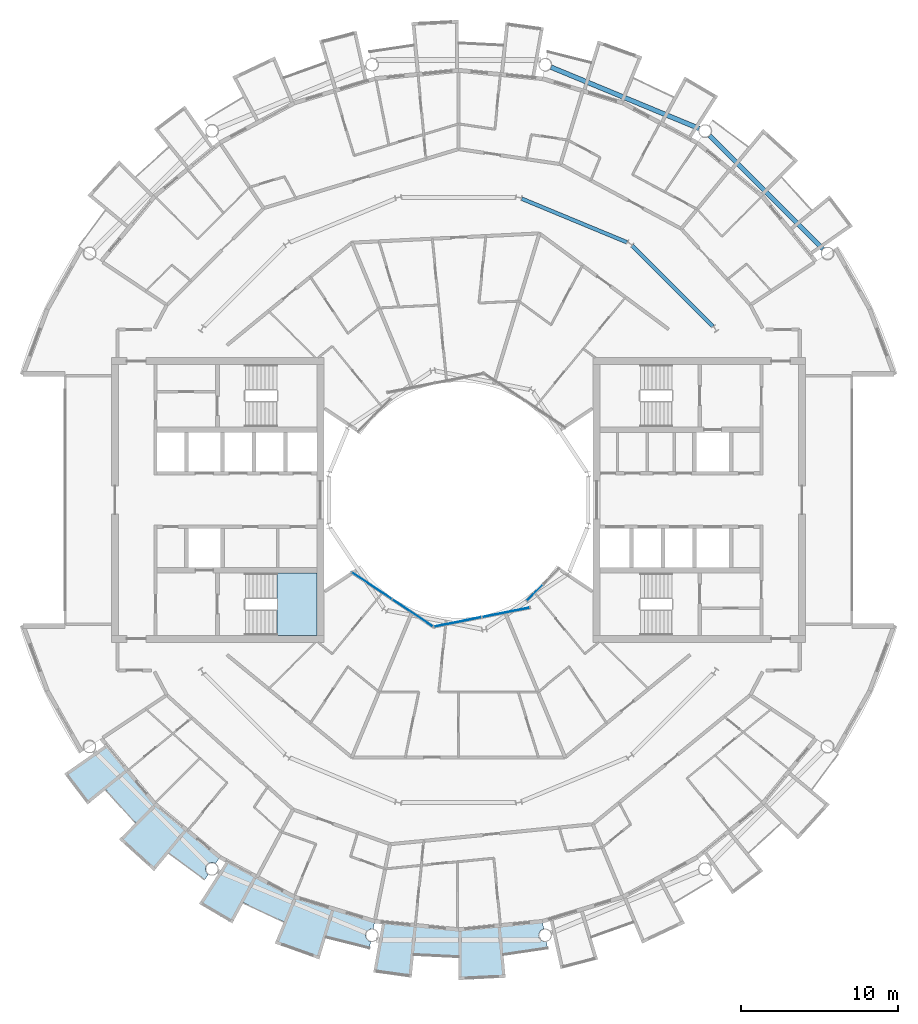
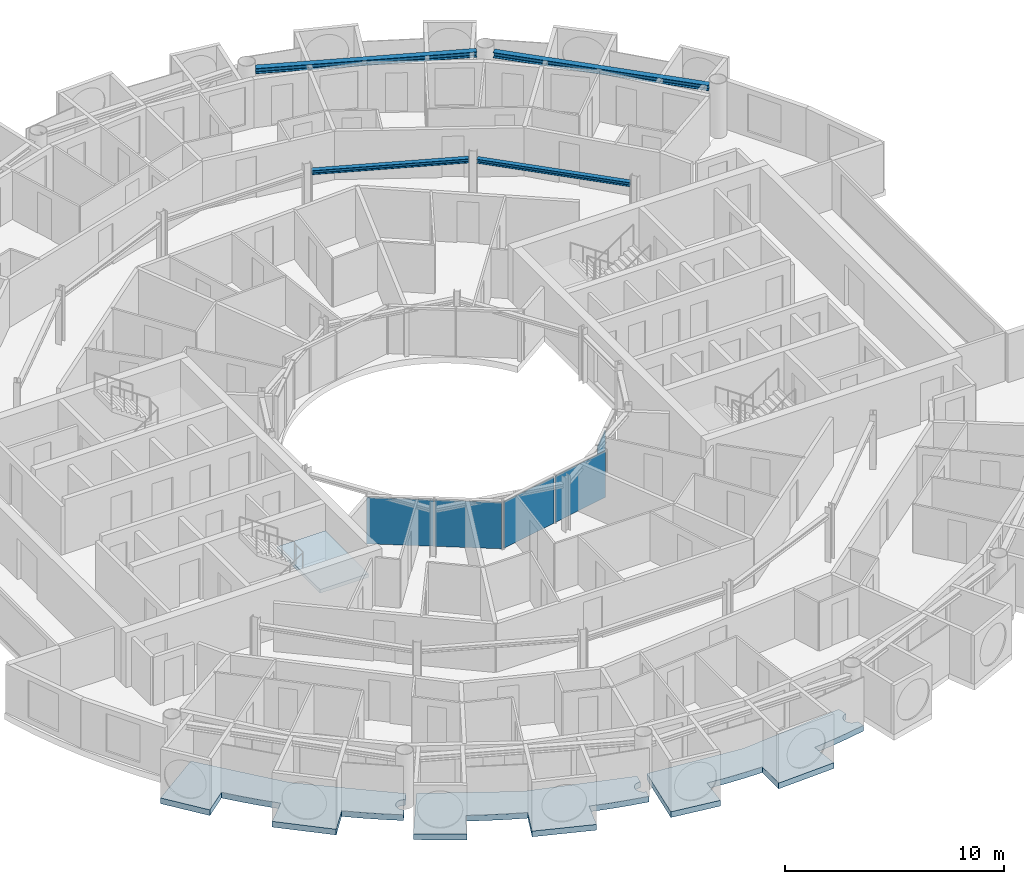
# One storey, part 11 of 29: 5 plates, 4 beams, 4 slabs, 4 elements without a shape of their own.
"""IFC4 building model written with IfcOpenShell, lengths in metres."""

from ifc_helpers import new_model, si_unit, direction, frame, origin, origin_2d, place, context, subcontext, project, spatial, polyline, rectangle, i_section, outline, extrude, material, layer, layer_set, material_profile, profile_set, type_object, element, aggregate, save


model = new_model("IFC4")

# Units and contexts
model_context = context("Model", 3, precision=1e-05, world=origin(), true_north=direction((0.0, 1.0)))
body_context = subcontext(model_context, "Body", "Model", "MODEL_VIEW")
ifc_project = project(units=[si_unit("LENGTHUNIT", "METRE"), si_unit("AREAUNIT", "SQUARE_METRE"), si_unit("VOLUMEUNIT", "CUBIC_METRE"), si_unit("PLANEANGLEUNIT", "RADIAN"), si_unit("MASSUNIT", "GRAM", prefix="KILO")], contexts=[model_context])

# Site, building, storey
site_placement = place(None, origin())
site = spatial("IfcSite", under=ifc_project, at=site_placement, CompositionType="ELEMENT")
building_placement = place(site_placement, origin())
building = spatial("IfcBuilding", under=site, at=building_placement, Name="Maasbend Ring Residences", CompositionType="ELEMENT")
storey_placement = place(building_placement, frame((0.0, 0.0, 205.449951171875)))
storey = spatial("IfcBuildingStorey", under=building, at=storey_placement, Name="L59", CompositionType="ELEMENT", Elevation=205.449951171875)

# Beams
ifc_material_1 = material(Name="Steel S355J2", Category="steel")
ifc_material_profile_1 = material_profile(ifc_material_1, i_section(OverallWidth=0.239990234375, OverallDepth=0.22998046875, WebThickness=0.007568359375, FlangeThickness=0.011962890625, FilletRadius=0.02099609375, at=origin_2d()), Name="HEA 240")
ifc_profile_set_1 = profile_set([ifc_material_profile_1], Name="Steel S355J2")
beam_type_1 = type_object("IfcBeamType", Name="Corridor ring beam HEA 240", PredefinedType="BEAM", material=ifc_profile_set_1)
beam_1_placement = place(storey_placement, frame((16.152587890625, 11.033447265625, 2.5849609375), z_axis=(-0.707106781187, 0.707106781187, 0.0), x_axis=(-0.707106781187, -0.707106781187, 0.0)))
element("IfcBeam", 1, at=beam_1_placement, inside=storey, type_object=beam_type_1, Name="Corridor ring beam", PredefinedType="BEAM", context=body_context, shape_type="SweptSolid", body=[
    extrude(i_section(OverallWidth=0.239990234375, OverallDepth=0.22998046875, WebThickness=0.007568359375, FlangeThickness=0.011962890625, FilletRadius=0.02099609375, at=origin_2d()), origin(), (0.0, 0.0, 1.0), 7.239501953125),
])
beam_2_placement = place(storey_placement, frame((10.70068359375, 16.374755859375, 2.5849609375), z_axis=(-0.923865162022, 0.382718123952, 0.0), x_axis=(-0.382718123952, -0.923865162022, 0.0)))
element("IfcBeam", 2, at=beam_2_placement, inside=storey, type_object=beam_type_1, Name="Corridor ring beam", PredefinedType="BEAM", context=body_context, shape_type="SweptSolid", body=[
    extrude(i_section(OverallWidth=0.239990234375, OverallDepth=0.22998046875, WebThickness=0.007568359375, FlangeThickness=0.011962890625, FilletRadius=0.02099609375, at=origin_2d()), origin(), (0.0, 0.0, 1.0), 7.23974609375),
])
ifc_material_2 = material(Name="Steel S355J2", Category="steel")
ifc_material_profile_2 = material_profile(ifc_material_2, i_section(OverallWidth=0.300048828125, OverallDepth=0.300048828125, WebThickness=0.010986328125, FlangeThickness=0.01904296875, FilletRadius=0.027099609375, at=origin_2d()), Name="HEB 300")
ifc_profile_set_2 = profile_set([ifc_material_profile_2], Name="Steel S355J2")
beam_type_2 = type_object("IfcBeamType", Name="Spandrel ring beam HEB 300", PredefinedType="SPANDREL", material=ifc_profile_set_2)
for number, where, z_axis, x_axis, name in (
    (3, (23.159912109375, 15.95458984375, 2.550048828125), (-0.707106781187, 0.707106781187, 0.0), (-0.707106781187, -0.707106781187, 0.0), "Spandrel ring beam"),
    (4, (15.29150390625, 23.60302734375, 2.550048828125), (-0.923883676188, 0.382673428492, 0.0), (-0.382673428492, -0.923883676188, 0.0), "Spandrel ring beam"),
):
    element("IfcBeam", number, at=place(storey_placement, frame(where, z_axis=z_axis, x_axis=x_axis)), inside=storey, type_object=beam_type_2, Name=name, PredefinedType="SPANDREL", context=body_context, shape_type="SweptSolid", body=[
        extrude(i_section(OverallWidth=0.300048828125, OverallDepth=0.300048828125, WebThickness=0.010986328125, FlangeThickness=0.01904296875, FilletRadius=0.027099609375, at=origin_2d()), origin(), (0.0, 0.0, 1.0), 10.18994140625),
    ])

# Stair, slab
ifc_material_3 = material(Name="Concrete C40/50", Category="concrete")
stair_type = type_object("IfcStairType", Name="CORE STAIR 18 RISERS", PredefinedType="HALF_TURN_STAIR", material=ifc_material_3)
stair_placement = place(storey_placement, origin())
stair = element("IfcStair", 5, at=stair_placement, inside=storey, type_object=stair_type, Name="L59 Exit stair ST-W1", PredefinedType="HALF_TURN_STAIR")
ifc_material_4 = material(Name="Concrete C40/50", Category="concrete")
ifc_layer_1 = layer(ifc_material_4, 0.199951171875)
ifc_layer_set_1 = layer_set([ifc_layer_1], Name="Concrete C40/50")
slab_type_1 = type_object("IfcSlabType", Name="CORE STAIR LANDING 200", PredefinedType="LANDING", material=ifc_layer_set_1)
slab_1_placement = place(storey_placement, frame((0.0, 0.0, 1.324951171875)))
slab_1 = element("IfcSlab", 6, at=slab_1_placement, type_object=slab_type_1, Name="ST-W1 landing 1", PredefinedType="LANDING", context=body_context, shape_type="SweptSolid", body=[
    extrude(outline(polyline([(-11.550048828125, -8.60009765625), (-9.0, -8.60009765625), (-9.0, -4.64990234375), (-11.550048828125, -4.64990234375), (-11.550048828125, -8.60009765625)])), origin(), (0.0, 0.0, 1.0), 0.2001953125),
])
aggregate(stair, [slab_1])

# Curtain wall, plates
ifc_material_5 = material(Name="Aluminium and clear glass", Category="aluminium")
ifc_layer_2 = layer(ifc_material_5, 0.179931640625)
ifc_layer_set_2 = layer_set([ifc_layer_2], Name="CW-W")
curtain_wall_type = type_object("IfcCurtainWallType", Name="CW-W", PredefinedType="NOTDEFINED", material=ifc_layer_set_2)
curtain_wall_1_placement = place(storey_placement, origin())
curtain_wall_1 = element("IfcCurtainWall", 7, at=curtain_wall_1_placement, inside=storey, type_object=curtain_wall_type, Name="Well curtain wall S1", PredefinedType="NOTDEFINED")
ifc_material_6 = material(Name="Glass clear laminated", Category="glass")
ifc_layer_3 = layer(ifc_material_6, 0.031982421875)
ifc_layer_set_3 = layer_set([ifc_layer_3], Name="CWP-W")
plate_type = type_object("IfcPlateType", Name="CWP-W", PredefinedType="CURTAIN_PANEL", material=ifc_layer_set_3)
plate_1_placement = place(storey_placement, frame((-5.51123046875, -5.44580078125, 0.0), z_axis=(0.0, 0.0, 1.0), x_axis=(0.831469612303, -0.55557023302, 0.0)))
plate_1 = element("IfcPlate", 8, at=plate_1_placement, type_object=plate_type, Name="Glass panel well face", PredefinedType="CURTAIN_PANEL", context=body_context, shape_type="SweptSolid", body=[
    extrude(rectangle(XDim=3.053955078125, YDim=0.031982421875, at=origin_2d()), origin(), (0.0, 0.0, 1.0), 2.580078125),
])
plate_2_placement = place(storey_placement, frame((-2.922119140625, -7.17578125, 0.0), z_axis=(0.0, 0.0, 1.0), x_axis=(0.831469612303, -0.55557023302, 0.0)))
plate_2 = element("IfcPlate", 9, at=plate_2_placement, type_object=plate_type, Name="Glass panel well face", PredefinedType="CURTAIN_PANEL", context=body_context, shape_type="SweptSolid", body=[
    extrude(rectangle(XDim=3.053955078125, YDim=0.031982421875, at=origin_2d()), origin(), (0.0, 0.0, 1.0), 2.580078125),
])
aggregate(curtain_wall_1, [plate_1, plate_2])

curtain_wall_2_placement = place(storey_placement, origin())
curtain_wall_2 = element("IfcCurtainWall", 10, at=curtain_wall_2_placement, inside=storey, type_object=curtain_wall_type, Name="Well curtain wall S2", PredefinedType="NOTDEFINED")
plate_3_placement = place(storey_placement, frame((-0.04638671875, -7.747802734375, 0.0), z_axis=(0.0, 0.0, 1.0), x_axis=(0.980785280403, 0.195090322016, 0.0)))
plate_3 = element("IfcPlate", 11, at=plate_3_placement, type_object=plate_type, Name="Glass panel well face", PredefinedType="CURTAIN_PANEL", context=body_context, shape_type="SweptSolid", body=[
    extrude(rectangle(XDim=3.053955078125, YDim=0.031982421875, at=origin_2d()), origin(), (0.0, 0.0, 1.0), 2.580078125),
])
plate_4_placement = place(storey_placement, frame((3.0078125, -7.140380859375, 0.0), z_axis=(0.0, 0.0, 1.0), x_axis=(0.980785280403, 0.195090322016, 0.0)))
plate_4 = element("IfcPlate", 12, at=plate_4_placement, type_object=plate_type, Name="Glass panel well face", PredefinedType="CURTAIN_PANEL", context=body_context, shape_type="SweptSolid", body=[
    extrude(rectangle(XDim=3.053955078125, YDim=0.031982421875, at=origin_2d()), origin(), (0.0, 0.0, 1.0), 2.580078125),
])
aggregate(curtain_wall_2, [plate_3, plate_4])

# Curtain wall, plate
curtain_wall_3_placement = place(storey_placement, origin())
curtain_wall_3 = element("IfcCurtainWall", 13, at=curtain_wall_3_placement, inside=storey, type_object=curtain_wall_type, Name="Well curtain wall S3", PredefinedType="NOTDEFINED")
plate_5_placement = place(storey_placement, frame((4.84375, -5.89013671875, 0.0), z_axis=(0.0, 0.0, 1.0), x_axis=(0.707106781187, 0.707106781187, 0.0)))
plate_5 = element("IfcPlate", 14, at=plate_5_placement, type_object=plate_type, Name="Glass panel well face", PredefinedType="CURTAIN_PANEL", context=body_context, shape_type="SweptSolid", body=[
    extrude(rectangle(XDim=1.419677734375, YDim=0.031982421875, at=origin_2d()), origin(), (0.0, 0.0, 1.0), 2.580078125),
])
aggregate(curtain_wall_3, [plate_5])

# Slabs
ifc_material_7 = material(Name="Concrete C40/50", Category="concrete")
ifc_layer_4 = layer(ifc_material_7, 0.199951171875)
ifc_layer_set_4 = layer_set([ifc_layer_4], Name="Concrete C40/50")
slab_type_2 = type_object("IfcSlabType", Name="SL-LOGGIA", PredefinedType="FLOOR", material=ifc_layer_set_4)
slab_2_placement = place(storey_placement, frame((0.0, 0.0, -0.349853515625)))
element("IfcSlab", 15, at=slab_2_placement, inside=storey, type_object=slab_type_2, Name="Loggia floor 2", PredefinedType="FLOOR", context=body_context, shape_type="SweptSolid", body=[
    extrude(outline(polyline([(-12.806884765625, -23.9609375), (-10.447021484375, -25.221923828125), (-10.447021484375, -25.221923828125), (-10.447021484375, -25.221923828125), (-7.886962890625, -25.9990234375), (-5.325927734375, -26.77490234375), (-5.325927734375, -26.77490234375), (-5.325927734375, -26.77490234375), (-5.422119140625, -27.259033203125), (-5.431884765625, -27.258056640625), (-5.44189453125, -27.256103515625), (-5.451904296875, -27.2548828125), (-5.4619140625, -27.25390625), (-5.471923828125, -27.2529296875), (-5.48193359375, -27.251953125), (-5.491943359375, -27.251953125), (-5.501953125, -27.251953125), (-5.510986328125, -27.251953125), (-5.52099609375, -27.251953125), (-5.531005859375, -27.2529296875), (-5.541015625, -27.25390625), (-5.551025390625, -27.2548828125), (-5.56103515625, -27.256103515625), (-5.571044921875, -27.258056640625), (-5.5810546875, -27.259033203125), (-5.591064453125, -27.260986328125), (-5.60009765625, -27.263916015625), (-5.610107421875, -27.26611328125), (-5.6201171875, -27.26904296875), (-5.62890625, -27.27197265625), (-5.637939453125, -27.27490234375), (-5.64794921875, -27.279052734375), (-5.656982421875, -27.282958984375), (-5.666015625, -27.285888671875), (-5.675048828125, -27.291015625), (-5.68408203125, -27.294921875), (-5.693115234375, -27.300048828125), (-5.701904296875, -27.303955078125), (-5.7099609375, -27.30908203125), (-5.718994140625, -27.31494140625), (-5.72705078125, -27.320068359375), (-5.736083984375, -27.325927734375), (-5.743896484375, -27.33203125), (-5.751953125, -27.337890625), (-5.759033203125, -27.343994140625), (-5.76708984375, -27.35009765625), (-5.77392578125, -27.35693359375), (-5.781982421875, -27.364013671875), (-5.7890625, -27.37109375), (-5.7958984375, -27.3779296875), (-5.802978515625, -27.385009765625), (-5.80908203125, -27.39306640625), (-5.81591796875, -27.39990234375), (-5.822021484375, -27.407958984375), (-5.827880859375, -27.416015625), (-5.833984375, -27.424072265625), (-5.839111328125, -27.431884765625), (-5.844970703125, -27.44091796875), (-5.85009765625, -27.448974609375), (-5.85498046875, -27.4580078125), (-5.860107421875, -27.466064453125), (-5.864990234375, -27.47509765625), (-5.868896484375, -27.48388671875), (-5.873046875, -27.492919921875), (-5.876953125, -27.5029296875), (-5.881103515625, -27.511962890625), (-5.884033203125, -27.52099609375), (-5.886962890625, -27.531005859375), (-5.889892578125, -27.5400390625), (-5.89306640625, -27.550048828125), (-5.89599609375, -27.55908203125), (-5.89794921875, -27.569091796875), (-5.89990234375, -27.5791015625), (-5.902099609375, -27.589111328125), (-5.904052734375, -27.597900390625), (-5.905029296875, -27.60791015625), (-5.906005859375, -27.617919921875), (-5.906982421875, -27.6279296875), (-5.907958984375, -27.637939453125), (-5.907958984375, -27.64794921875), (-5.907958984375, -27.657958984375), (-5.907958984375, -27.66796875), (-5.907958984375, -27.677978515625), (-5.906982421875, -27.68798828125), (-5.906005859375, -27.697998046875), (-5.905029296875, -27.7080078125), (-5.904052734375, -27.718017578125), (-5.902099609375, -27.72802734375), (-5.89990234375, -27.737060546875), (-5.89794921875, -27.7470703125), (-5.89599609375, -27.757080078125), (-5.89306640625, -27.76708984375), (-5.889892578125, -27.77587890625), (-5.886962890625, -27.785888671875), (-5.884033203125, -27.794921875), (-5.881103515625, -27.803955078125), (-5.876953125, -27.81396484375), (-5.873046875, -27.822998046875), (-5.868896484375, -27.83203125), (-5.864990234375, -27.841064453125), (-5.860107421875, -27.85009765625), (-5.85498046875, -27.85791015625), (-5.85009765625, -27.866943359375), (-5.844970703125, -27.8759765625), (-5.839111328125, -27.884033203125), (-5.833984375, -27.89208984375), (-5.827880859375, -27.89990234375), (-5.822021484375, -27.907958984375), (-5.81591796875, -27.916015625), (-5.80908203125, -27.924072265625), (-5.802978515625, -27.930908203125), (-5.7958984375, -27.93798828125), (-5.7890625, -27.946044921875), (-5.781982421875, -27.952880859375), (-5.77392578125, -27.958984375), (-5.76708984375, -27.966064453125), (-5.759033203125, -27.971923828125), (-5.751953125, -27.97900390625), (-5.743896484375, -27.985107421875), (-5.736083984375, -27.989990234375), (-5.72705078125, -27.99609375), (-5.718994140625, -28.001953125), (-5.7099609375, -28.007080078125), (-5.701904296875, -28.011962890625), (-5.693115234375, -28.01708984375), (-5.68408203125, -28.02099609375), (-5.675048828125, -28.02587890625), (-5.666015625, -28.030029296875), (-5.656982421875, -28.033935546875), (-5.64794921875, -28.037109375), (-5.637939453125, -28.041015625), (-5.62890625, -28.0439453125), (-5.6201171875, -28.047119140625), (-5.610107421875, -28.050048828125), (-5.60009765625, -28.052001953125), (-5.591064453125, -28.054931640625), (-5.5810546875, -28.056884765625), (-5.657958984375, -28.443115234375), (-5.657958984375, -28.443115234375), (-5.657958984375, -28.443115234375), (-6.5849609375, -28.241943359375), (-6.5849609375, -28.241943359375), (-7.506103515625, -28.011962890625), (-7.506103515625, -28.011962890625), (-8.41796875, -27.7509765625), (-8.41796875, -27.7509765625), (-8.41796875, -27.7509765625), (-8.41796875, -27.7509765625), (-8.41796875, -27.7509765625), (-8.41796875, -27.7509765625), (-8.41796875, -27.7509765625), (-8.41796875, -27.7509765625), (-8.41796875, -27.7509765625), (-8.41796875, -27.7509765625), (-8.41796875, -27.751953125), (-8.41796875, -27.751953125), (-8.41796875, -27.751953125), (-8.41796875, -27.751953125), (-8.41796875, -27.751953125), (-8.41796875, -27.751953125), (-8.41796875, -27.751953125), (-8.85400390625, -29.18701171875), (-8.85400390625, -29.18701171875), (-8.85400390625, -29.18701171875), (-11.672119140625, -28.177978515625), (-11.672119140625, -28.177978515625), (-11.672119140625, -28.177978515625), (-11.097900390625, -26.79296875), (-11.097900390625, -26.79296875), (-11.097900390625, -26.79296875), (-11.097900390625, -26.79296875), (-11.097900390625, -26.79296875), (-11.097900390625, -26.79296875), (-11.097900390625, -26.79296875), (-11.097900390625, -26.79296875), (-11.097900390625, -26.79296875), (-11.097900390625, -26.79296875), (-11.097900390625, -26.7919921875), (-11.097900390625, -26.7919921875), (-11.097900390625, -26.7919921875), (-11.097900390625, -26.7919921875), (-11.097900390625, -26.7919921875), (-11.097900390625, -26.7919921875), (-11.097900390625, -26.7919921875), (-11.968994140625, -26.4150390625), (-11.968994140625, -26.4150390625), (-12.825927734375, -26.009033203125), (-12.825927734375, -26.009033203125), (-13.669921875, -25.575927734375), (-13.669921875, -25.575927734375), (-13.669921875, -25.575927734375), (-13.669921875, -25.575927734375), (-13.669921875, -25.575927734375), (-13.669921875, -25.575927734375), (-13.669921875, -25.575927734375), (-13.669921875, -25.575927734375), (-13.669921875, -25.575927734375), (-13.669921875, -25.575927734375), (-13.6708984375, -25.575927734375), (-13.6708984375, -25.575927734375), (-13.6708984375, -25.575927734375), (-13.6708984375, -25.575927734375), (-13.6708984375, -25.575927734375), (-13.6708984375, -25.575927734375), (-13.6708984375, -25.575927734375), (-14.3779296875, -26.89892578125), (-14.3779296875, -26.89892578125), (-14.3779296875, -26.89892578125), (-16.487060546875, -25.659912109375), (-16.487060546875, -25.659912109375), (-16.487060546875, -25.659912109375), (-14.73291015625, -22.930908203125), (-14.73291015625, -22.930908203125), (-14.73291015625, -22.930908203125), (-12.806884765625, -23.9609375)])), origin(), (0.0, 0.0, 1.0), 0.31982421875),
])
slab_3_placement = place(storey_placement, frame((0.0, 0.0, -0.349853515625)))
element("IfcSlab", 16, at=slab_3_placement, inside=storey, type_object=slab_type_2, Name="Loggia floor 3", PredefinedType="FLOOR", context=body_context, shape_type="SweptSolid", body=[
    extrude(outline(polyline([(-2.6630859375, -27.0380859375), (0.0, -27.300048828125), (0.0, -27.300048828125), (0.0, -27.300048828125), (2.6630859375, -27.0380859375), (5.325927734375, -26.77490234375), (5.325927734375, -26.77490234375), (5.325927734375, -26.77490234375), (5.422119140625, -27.259033203125), (5.422119140625, -27.259033203125), (5.412109375, -27.260986328125), (5.403076171875, -27.263916015625), (5.39306640625, -27.26611328125), (5.383056640625, -27.26904296875), (5.3740234375, -27.27197265625), (5.364990234375, -27.27490234375), (5.35498046875, -27.279052734375), (5.345947265625, -27.282958984375), (5.3369140625, -27.285888671875), (5.327880859375, -27.291015625), (5.319091796875, -27.294921875), (5.31005859375, -27.300048828125), (5.301025390625, -27.303955078125), (5.29296875, -27.30908203125), (5.283935546875, -27.31494140625), (5.27587890625, -27.320068359375), (5.26708984375, -27.325927734375), (5.259033203125, -27.33203125), (5.2509765625, -27.337890625), (5.243896484375, -27.343994140625), (5.236083984375, -27.35009765625), (5.22900390625, -27.35693359375), (5.220947265625, -27.364013671875), (5.214111328125, -27.37109375), (5.20703125, -27.3779296875), (5.199951171875, -27.385009765625), (5.194091796875, -27.39306640625), (5.18701171875, -27.39990234375), (5.180908203125, -27.407958984375), (5.175048828125, -27.416015625), (5.1689453125, -27.424072265625), (5.1640625, -27.431884765625), (5.157958984375, -27.44091796875), (5.153076171875, -27.448974609375), (5.14794921875, -27.4580078125), (5.14306640625, -27.466064453125), (5.137939453125, -27.47509765625), (5.134033203125, -27.48388671875), (5.1298828125, -27.492919921875), (5.1259765625, -27.5029296875), (5.1220703125, -27.511962890625), (5.118896484375, -27.52099609375), (5.115966796875, -27.531005859375), (5.113037109375, -27.5400390625), (5.110107421875, -27.550048828125), (5.10693359375, -27.55908203125), (5.10498046875, -27.569091796875), (5.10302734375, -27.5791015625), (5.10107421875, -27.589111328125), (5.09912109375, -27.597900390625), (5.097900390625, -27.60791015625), (5.096923828125, -27.617919921875), (5.095947265625, -27.6279296875), (5.094970703125, -27.637939453125), (5.094970703125, -27.64794921875), (5.094970703125, -27.657958984375), (5.094970703125, -27.66796875), (5.094970703125, -27.677978515625), (5.095947265625, -27.68798828125), (5.096923828125, -27.697998046875), (5.097900390625, -27.7080078125), (5.09912109375, -27.718017578125), (5.10107421875, -27.72802734375), (5.10302734375, -27.737060546875), (5.10498046875, -27.7470703125), (5.10693359375, -27.757080078125), (5.110107421875, -27.76708984375), (5.113037109375, -27.77587890625), (5.115966796875, -27.785888671875), (5.118896484375, -27.794921875), (5.1220703125, -27.803955078125), (5.1259765625, -27.81396484375), (5.1298828125, -27.822998046875), (5.134033203125, -27.83203125), (5.137939453125, -27.841064453125), (5.14306640625, -27.85009765625), (5.14794921875, -27.85791015625), (5.153076171875, -27.866943359375), (5.157958984375, -27.8759765625), (5.1640625, -27.884033203125), (5.1689453125, -27.89208984375), (5.175048828125, -27.89990234375), (5.180908203125, -27.907958984375), (5.18701171875, -27.916015625), (5.194091796875, -27.924072265625), (5.199951171875, -27.930908203125), (5.20703125, -27.93798828125), (5.214111328125, -27.946044921875), (5.220947265625, -27.952880859375), (5.22900390625, -27.958984375), (5.236083984375, -27.966064453125), (5.243896484375, -27.971923828125), (5.2509765625, -27.97900390625), (5.259033203125, -27.985107421875), (5.26708984375, -27.989990234375), (5.27587890625, -27.99609375), (5.283935546875, -28.001953125), (5.29296875, -28.007080078125), (5.301025390625, -28.011962890625), (5.31005859375, -28.01708984375), (5.319091796875, -28.02099609375), (5.327880859375, -28.02587890625), (5.3369140625, -28.030029296875), (5.345947265625, -28.033935546875), (5.35498046875, -28.037109375), (5.364990234375, -28.041015625), (5.3740234375, -28.0439453125), (5.383056640625, -28.047119140625), (5.39306640625, -28.050048828125), (5.403076171875, -28.052001953125), (5.412109375, -28.054931640625), (5.422119140625, -28.056884765625), (5.431884765625, -28.05908203125), (5.44189453125, -28.06005859375), (5.451904296875, -28.06201171875), (5.4619140625, -28.06298828125), (5.471923828125, -28.06298828125), (5.48193359375, -28.06396484375), (5.491943359375, -28.06396484375), (5.501953125, -28.06494140625), (5.510986328125, -28.06396484375), (5.52099609375, -28.06396484375), (5.531005859375, -28.06298828125), (5.541015625, -28.06298828125), (5.551025390625, -28.06201171875), (5.56103515625, -28.06005859375), (5.571044921875, -28.05908203125), (5.5810546875, -28.056884765625), (5.5810546875, -28.056884765625), (5.657958984375, -28.443115234375), (5.657958984375, -28.443115234375), (5.657958984375, -28.443115234375), (4.72412109375, -28.613037109375), (4.72412109375, -28.613037109375), (3.784912109375, -28.751953125), (3.784912109375, -28.751953125), (2.843017578125, -28.860107421875), (2.843017578125, -28.860107421875), (2.843017578125, -28.860107421875), (2.843017578125, -28.860107421875), (2.843017578125, -28.860107421875), (2.843017578125, -28.860107421875), (2.843017578125, -28.860107421875), (2.843017578125, -28.860107421875), (2.843017578125, -28.860107421875), (2.843017578125, -28.861083984375), (2.843017578125, -28.861083984375), (2.843017578125, -28.861083984375), (2.843017578125, -28.861083984375), (2.843017578125, -28.861083984375), (2.843017578125, -28.861083984375), (2.843017578125, -28.861083984375), (2.843017578125, -28.861083984375), (2.989990234375, -30.35302734375), (2.989990234375, -30.35302734375), (2.989990234375, -30.35302734375), (0.0, -30.5), (0.0, -30.5), (0.0, -30.5), (0.0, -29.0), (0.0, -29.0), (0.0, -29.0), (0.0, -29.0), (0.0, -29.0), (0.0, -29.0), (0.0, -29.0), (0.0, -29.0), (0.0, -29.0), (0.0, -29.0), (0.0, -29.0), (0.0, -29.0), (0.0, -29.0), (0.0, -29.0), (0.0, -29.0), (0.0, -29.0), (0.0, -29.0), (-0.948974609375, -28.98388671875), (-0.948974609375, -28.98388671875), (-1.89697265625, -28.93798828125), (-1.89697265625, -28.93798828125), (-2.842041015625, -28.860107421875), (-2.842041015625, -28.860107421875), (-2.842041015625, -28.860107421875), (-2.842041015625, -28.860107421875), (-2.842041015625, -28.860107421875), (-2.842041015625, -28.860107421875), (-2.842041015625, -28.860107421875), (-2.842041015625, -28.860107421875), (-2.842041015625, -28.861083984375), (-2.842041015625, -28.861083984375), (-2.842041015625, -28.861083984375), (-2.842041015625, -28.861083984375), (-2.842041015625, -28.861083984375), (-2.843017578125, -28.861083984375), (-2.843017578125, -28.861083984375), (-2.843017578125, -28.861083984375), (-2.843017578125, -28.861083984375), (-2.989990234375, -30.35302734375), (-2.989990234375, -30.35302734375), (-2.989990234375, -30.35302734375), (-5.412109375, -30.01611328125), (-5.412109375, -30.01611328125), (-5.412109375, -30.01611328125), (-4.8359375, -26.823974609375), (-4.8359375, -26.823974609375), (-4.8359375, -26.823974609375), (-2.6630859375, -27.0380859375)])), origin(), (0.0, 0.0, 1.0), 0.31982421875),
])
slab_4_placement = place(storey_placement, frame((0.0, 0.0, -0.349853515625)))
element("IfcSlab", 17, at=slab_4_placement, inside=storey, type_object=slab_type_2, Name="Loggia floor 5", PredefinedType="FLOOR", context=body_context, shape_type="SweptSolid", body=[
    extrude(outline(polyline([(-21.001953125, -17.236083984375), (-19.303955078125, -19.303955078125), (-19.303955078125, -19.303955078125), (-19.303955078125, -19.303955078125), (-17.236083984375, -21.001953125), (-15.1669921875, -22.698974609375), (-15.1669921875, -22.698974609375), (-15.1669921875, -22.698974609375), (-15.44091796875, -23.10888671875), (-15.44091796875, -23.10888671875), (-15.449951171875, -23.10400390625), (-15.4580078125, -23.09912109375), (-15.467041015625, -23.093994140625), (-15.47509765625, -23.089111328125), (-15.48388671875, -23.083984375), (-15.492919921875, -23.080078125), (-15.501953125, -23.075927734375), (-15.511962890625, -23.072021484375), (-15.52099609375, -23.068115234375), (-15.530029296875, -23.06494140625), (-15.5400390625, -23.06103515625), (-15.549072265625, -23.05810546875), (-15.55908203125, -23.055908203125), (-15.568115234375, -23.052978515625), (-15.577880859375, -23.051025390625), (-15.587890625, -23.049072265625), (-15.597900390625, -23.047119140625), (-15.60693359375, -23.044921875), (-15.616943359375, -23.0439453125), (-15.626953125, -23.04296875), (-15.636962890625, -23.0419921875), (-15.64697265625, -23.041015625), (-15.656982421875, -23.041015625), (-15.6669921875, -23.041015625), (-15.677001953125, -23.041015625), (-15.68701171875, -23.041015625), (-15.697021484375, -23.0419921875), (-15.70703125, -23.04296875), (-15.717041015625, -23.0439453125), (-15.72705078125, -23.044921875), (-15.737060546875, -23.047119140625), (-15.74609375, -23.049072265625), (-15.756103515625, -23.051025390625), (-15.76611328125, -23.052978515625), (-15.77587890625, -23.055908203125), (-15.784912109375, -23.05810546875), (-15.794921875, -23.06103515625), (-15.803955078125, -23.06494140625), (-15.81298828125, -23.068115234375), (-15.822998046875, -23.072021484375), (-15.83203125, -23.075927734375), (-15.841064453125, -23.080078125), (-15.85009765625, -23.083984375), (-15.85888671875, -23.089111328125), (-15.866943359375, -23.093994140625), (-15.8759765625, -23.09912109375), (-15.885009765625, -23.10400390625), (-15.89306640625, -23.10888671875), (-15.90087890625, -23.114990234375), (-15.908935546875, -23.12109375), (-15.9169921875, -23.126953125), (-15.925048828125, -23.133056640625), (-15.93310546875, -23.139892578125), (-15.93994140625, -23.14599609375), (-15.947021484375, -23.153076171875), (-15.955078125, -23.159912109375), (-15.9619140625, -23.1669921875), (-15.968017578125, -23.174072265625), (-15.97509765625, -23.181884765625), (-15.98095703125, -23.18994140625), (-15.988037109375, -23.197021484375), (-15.993896484375, -23.205078125), (-15.9990234375, -23.212890625), (-16.0048828125, -23.221923828125), (-16.010986328125, -23.22998046875), (-16.01611328125, -23.238037109375), (-16.02099609375, -23.2470703125), (-16.02587890625, -23.256103515625), (-16.030029296875, -23.264892578125), (-16.034912109375, -23.27392578125), (-16.0390625, -23.282958984375), (-16.04296875, -23.2919921875), (-16.0458984375, -23.301025390625), (-16.050048828125, -23.31005859375), (-16.052978515625, -23.320068359375), (-16.055908203125, -23.3291015625), (-16.05908203125, -23.339111328125), (-16.06103515625, -23.34912109375), (-16.06396484375, -23.35791015625), (-16.06591796875, -23.367919921875), (-16.068115234375, -23.3779296875), (-16.069091796875, -23.387939453125), (-16.071044921875, -23.39794921875), (-16.072021484375, -23.407958984375), (-16.072021484375, -23.4169921875), (-16.072998046875, -23.427001953125), (-16.072998046875, -23.43701171875), (-16.073974609375, -23.447021484375), (-16.072998046875, -23.45703125), (-16.072998046875, -23.467041015625), (-16.072021484375, -23.47705078125), (-16.072021484375, -23.487060546875), (-16.071044921875, -23.4970703125), (-16.069091796875, -23.507080078125), (-16.068115234375, -23.51708984375), (-16.06591796875, -23.527099609375), (-16.06396484375, -23.535888671875), (-16.06103515625, -23.5458984375), (-16.05908203125, -23.555908203125), (-16.055908203125, -23.56494140625), (-16.052978515625, -23.574951171875), (-16.050048828125, -23.583984375), (-16.0458984375, -23.593994140625), (-16.04296875, -23.60302734375), (-16.0390625, -23.612060546875), (-16.034912109375, -23.62109375), (-16.030029296875, -23.6298828125), (-16.02587890625, -23.638916015625), (-16.02099609375, -23.64794921875), (-16.01611328125, -23.656005859375), (-16.010986328125, -23.6650390625), (-16.0048828125, -23.673095703125), (-15.9990234375, -23.680908203125), (-15.993896484375, -23.68994140625), (-15.988037109375, -23.697021484375), (-15.98095703125, -23.705078125), (-15.97509765625, -23.712890625), (-15.968017578125, -23.719970703125), (-15.9619140625, -23.72802734375), (-15.955078125, -23.735107421875), (-15.947021484375, -23.741943359375), (-15.93994140625, -23.7490234375), (-15.93310546875, -23.7548828125), (-15.925048828125, -23.761962890625), (-15.9169921875, -23.76806640625), (-15.908935546875, -23.77392578125), (-15.90087890625, -23.780029296875), (-15.89306640625, -23.784912109375), (-15.89306640625, -23.784912109375), (-16.112060546875, -24.113037109375), (-16.112060546875, -24.113037109375), (-16.112060546875, -24.113037109375), (-16.89208984375, -23.572998046875), (-16.89208984375, -23.572998046875), (-17.654052734375, -23.007080078125), (-17.654052734375, -23.007080078125), (-18.39697265625, -22.41796875), (-18.39697265625, -22.41796875), (-18.39697265625, -22.41796875), (-18.39697265625, -22.41796875), (-18.39697265625, -22.41796875), (-18.39697265625, -22.41796875), (-18.39697265625, -22.41796875), (-18.39697265625, -22.41796875), (-18.39697265625, -22.41796875), (-18.39697265625, -22.41796875), (-18.39697265625, -22.41796875), (-18.39794921875, -22.41796875), (-18.39794921875, -22.41796875), (-18.39794921875, -22.41796875), (-18.39794921875, -22.41796875), (-18.39794921875, -22.41796875), (-18.39794921875, -22.41796875), (-19.34912109375, -23.576904296875), (-19.34912109375, -23.576904296875), (-19.34912109375, -23.576904296875), (-21.56689453125, -21.56689453125), (-21.56689453125, -21.56689453125), (-21.56689453125, -21.56689453125), (-20.506103515625, -20.506103515625), (-20.506103515625, -20.506103515625), (-20.506103515625, -20.506103515625), (-20.506103515625, -20.506103515625), (-20.506103515625, -20.506103515625), (-20.506103515625, -20.506103515625), (-20.506103515625, -20.506103515625), (-20.506103515625, -20.506103515625), (-20.506103515625, -20.506103515625), (-20.506103515625, -20.506103515625), (-20.506103515625, -20.506103515625), (-20.506103515625, -20.506103515625), (-20.506103515625, -20.506103515625), (-20.506103515625, -20.506103515625), (-20.506103515625, -20.506103515625), (-20.506103515625, -20.506103515625), (-20.506103515625, -20.506103515625), (-21.166015625, -19.823974609375), (-21.166015625, -19.823974609375), (-21.802978515625, -19.12109375), (-21.802978515625, -19.12109375), (-22.4169921875, -18.39794921875), (-22.4169921875, -18.39794921875), (-22.4169921875, -18.39794921875), (-22.4169921875, -18.39794921875), (-22.4169921875, -18.39794921875), (-22.4169921875, -18.39794921875), (-22.4169921875, -18.39794921875), (-22.4169921875, -18.39794921875), (-22.4169921875, -18.39794921875), (-22.4169921875, -18.39794921875), (-22.4169921875, -18.39794921875), (-22.4169921875, -18.39794921875), (-22.41796875, -18.39794921875), (-22.41796875, -18.39794921875), (-22.41796875, -18.39794921875), (-22.41796875, -18.39794921875), (-22.41796875, -18.39794921875), (-23.576904296875, -19.34912109375), (-23.576904296875, -19.34912109375), (-23.576904296875, -19.34912109375), (-25.051025390625, -17.39794921875), (-25.051025390625, -17.39794921875), (-25.051025390625, -17.39794921875), (-22.386962890625, -15.547119140625), (-22.386962890625, -15.547119140625), (-22.386962890625, -15.547119140625), (-21.001953125, -17.236083984375)])), origin(), (0.0, 0.0, 1.0), 0.31982421875),
])

save(model, "model.ifc")
